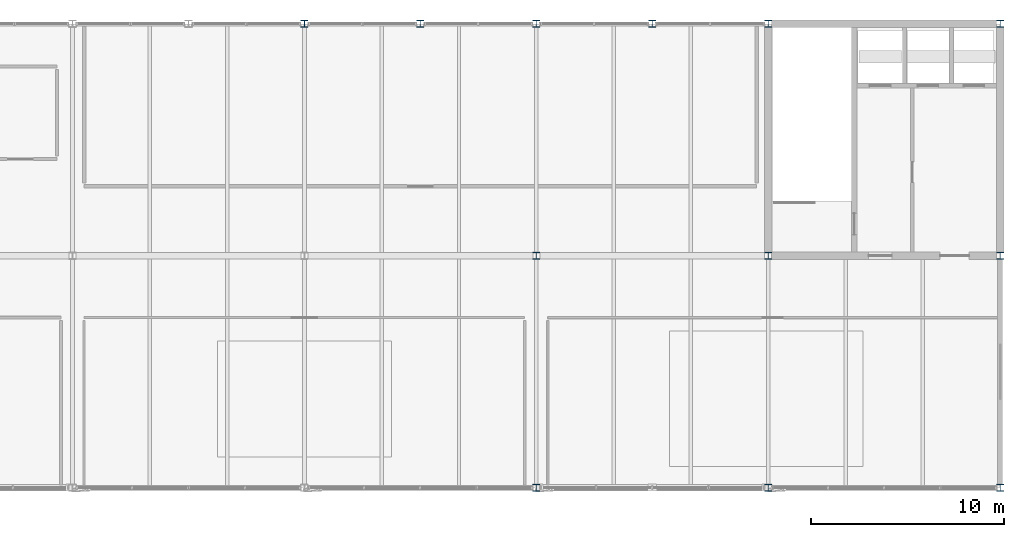
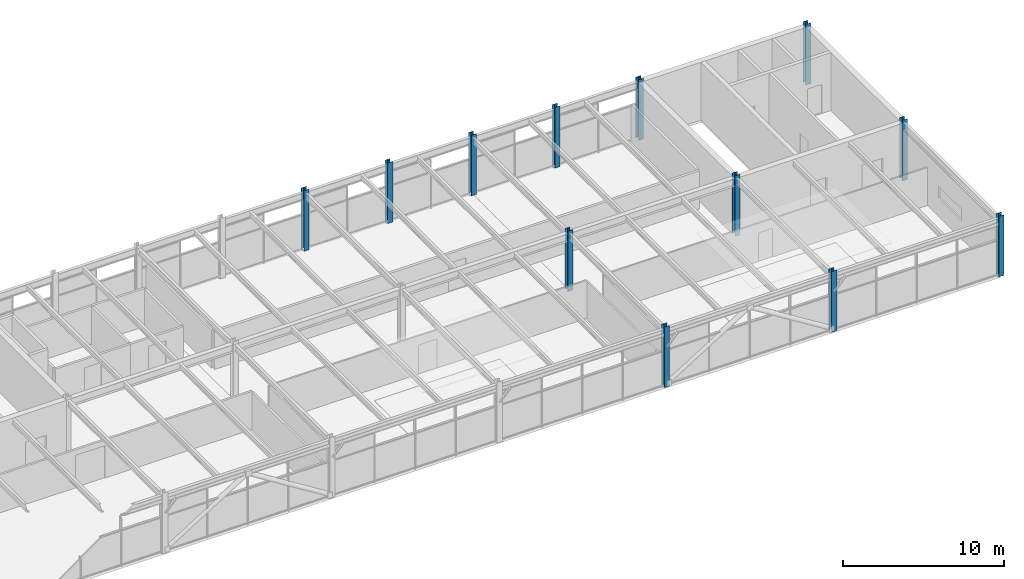
# One storey, part 2 of 28: 12 columns.
"""IFC4 building model written with IfcOpenShell, lengths in metres."""

import ifcopenshell
import ifcopenshell.guid

model = None  # the IFC model being written
_history = None  # IfcOwnerHistory: only IFC2X3 demands one
_inside = {}  # id of a spatial element -> (the spatial element, [elements in it])
_under = {}  # id of a project, library or spatial element -> (it, [spatial elements below it])
_declared = {}  # id of a project -> (the project, [libraries it declares])
_typed = {}  # id of a type object -> (the type object, [elements of that type])
_made_of = {}  # id of a material, layer set ... -> (it, [elements and type objects made of it])


def new_model(schema):
    """Start an empty IFC model of exactly this schema.

    Asked for "IFC4X3", IfcOpenShell would pick the latest addendum, in which some entities
    have other attributes; the version numbers below select the first issue.
    IFC2X3 requires an IfcOwnerHistory on every rooted entity: one is made here for all.
    """
    global model, _history
    if schema == "IFC4X3":
        model = ifcopenshell.file(schema_version=(4, 3, 0, 0))
    else:
        model = ifcopenshell.file(schema=schema)
    _inside.clear()
    _under.clear()
    _declared.clear()
    _typed.clear()
    _made_of.clear()
    _history = None
    if model.schema == "IFC2X3":
        org = make("IfcOrganization", Name="unknown")
        user = make(
            "IfcPersonAndOrganization",
            ThePerson=make("IfcPerson", FamilyName="unknown"),
            TheOrganization=org,
        )
        app = make(
            "IfcApplication",
            ApplicationDeveloper=org,
            Version="unknown",
            ApplicationFullName="unknown",
            ApplicationIdentifier="unknown",
        )
        _history = make(
            "IfcOwnerHistory",
            OwningUser=user,
            OwningApplication=app,
            ChangeAction="ADDED",
            CreationDate=0,
        )
    return model


def make(cls, **values):
    """One entity of the class cls with the attributes given. An attribute that is None is left unset."""
    return model.create_entity(
        cls, **{name: value for name, value in values.items() if value is not None}
    )


def rooted(cls, **values):
    """An entity with a GlobalId (a new one), such as an element, a storey or a relation."""
    return make(cls, GlobalId=ifcopenshell.guid.new(), OwnerHistory=_history, **values)


def si_unit(unit_type, name, prefix=None):
    """IfcSIUnit, for example si_unit("LENGTHUNIT", "METRE", prefix="MILLI")."""
    return make("IfcSIUnit", UnitType=unit_type, Prefix=prefix, Name=name)


def assignment(units):
    """IfcUnitAssignment: the units of a project."""
    return None if units is None else make("IfcUnitAssignment", Units=units)


def point(xyz):
    """IfcCartesianPoint."""
    return None if xyz is None else make("IfcCartesianPoint", Coordinates=xyz)


def direction(xyz):
    """IfcDirection."""
    return None if xyz is None else make("IfcDirection", DirectionRatios=xyz)


def frame(location, z_axis=None, x_axis=None):
    """IfcAxis2Placement3D, a coordinate frame: its origin and axes. An axis left out is left unset."""
    return make(
        "IfcAxis2Placement3D",
        Location=point(location),
        Axis=direction(z_axis),
        RefDirection=direction(x_axis),
    )


def frame_2d(location, x_axis=None):
    """IfcAxis2Placement2D, a coordinate frame in the plane: its origin and x axis."""
    return make(
        "IfcAxis2Placement2D", Location=point(location), RefDirection=direction(x_axis)
    )


def origin():
    """The frame at (0, 0, 0) with its axes left unset."""
    return frame((0.0, 0.0, 0.0))


def origin_2d():
    """The frame at (0, 0) in the plane with its x axis left unset."""
    return frame_2d((0.0, 0.0))


def place(relative_to, where):
    """IfcLocalPlacement: puts the frame where relative to a parent placement (None: the world)."""
    return make(
        "IfcLocalPlacement", PlacementRelTo=relative_to, RelativePlacement=where
    )


def context(
    kind, dimensions, precision=None, world=None, true_north=None, identifier=None
):
    """IfcGeometricRepresentationContext, for example the 3D "Model" context."""
    return make(
        "IfcGeometricRepresentationContext",
        ContextIdentifier=identifier,
        ContextType=kind,
        CoordinateSpaceDimension=dimensions,
        Precision=precision,
        WorldCoordinateSystem=world,
        TrueNorth=true_north,
    )


def subcontext(parent, identifier, kind, view, scale=None):
    """IfcGeometricRepresentationSubContext, for example "Body" below "Model"."""
    return make(
        "IfcGeometricRepresentationSubContext",
        ContextIdentifier=identifier,
        ContextType=kind,
        ParentContext=parent,
        TargetScale=scale,
        TargetView=view,
    )


def project(units=None, contexts=None):
    """IfcProject with its units and contexts."""
    return rooted(
        "IfcProject",
        Name="project",
        RepresentationContexts=contexts,
        UnitsInContext=assignment(units),
    )


def spatial(cls, under=None, at=None, **own):
    """A site, building, storey or space (cls), placed at a placement, below another one or the project."""
    s = rooted(cls, ObjectPlacement=at, **own)
    if under is not None:
        _under.setdefault(under.id(), (under, []))[1].append(s)
    return s


def profile(cls, at=None, kind="AREA", **sizes):
    """A parametric profile (cls). Its sizes go by their IFC names, for example OverallWidth=200.0."""
    return make(cls, ProfileType=kind, Position=at, **sizes)


def i_section(**sizes):
    """IfcIShapeProfileDef."""
    return profile("IfcIShapeProfileDef", **sizes)


def extrude(swept, where, along, depth):
    """IfcExtrudedAreaSolid: the profile swept, set in the frame where, extruded along a direction by depth."""
    return make(
        "IfcExtrudedAreaSolid",
        SweptArea=swept,
        Position=where,
        ExtrudedDirection=direction(along),
        Depth=depth,
    )


def shape(context_of_items, identifier, shape_type, items):
    """IfcShapeRepresentation: the items that make up one representation, for example the "Body"."""
    return make(
        "IfcShapeRepresentation",
        ContextOfItems=context_of_items,
        RepresentationIdentifier=identifier,
        RepresentationType=shape_type,
        Items=items,
    )


def material(Name=None, Category=None):
    """IfcMaterial."""
    return make("IfcMaterial", Name=Name, Category=Category)


def material_profile(
    of_material, cross_section, Name=None, Category=None, Priority=None
):
    """IfcMaterialProfile: a cross section and its material."""
    return make(
        "IfcMaterialProfile",
        Name=Name,
        Material=of_material,
        Profile=cross_section,
        Priority=Priority,
        Category=Category,
    )


def profile_set(profiles, Name=None, composite=None):
    """IfcMaterialProfileSet."""
    return make(
        "IfcMaterialProfileSet",
        Name=Name,
        MaterialProfiles=profiles,
        CompositeProfile=composite,
    )


def made_of(thing, what):
    """Note that an element or type object is made of a material, layer set ...; save() writes the relation."""
    if what is not None:
        _made_of.setdefault(what.id(), (what, []))[1].append(thing)
    return thing


def type_object(cls, material=None, **own):
    """A type object (cls), such as IfcWallType, which elements share."""
    return made_of(rooted(cls, **own), material)


def element(
    cls,
    number,
    at=None,
    inside=None,
    cuts=None,
    type_object=None,
    material=None,
    context=None,
    identifier="Body",
    shape_type=None,
    held_by="IfcProductDefinitionShape",
    body=None,
    shapes=None,
    **own,
):
    """One element of the class cls, such as IfcWall. Its Tag is "e" and its number.

    at: its placement. inside: the storey or other place that contains it. cuts: it is an
    opening in that element (IfcRelVoidsElement). A single representation is given by context,
    identifier, shape_type and body (its items); several are given by shapes. held_by: the class
    of the entity that holds the representations. save() writes the other relations.
    """
    e = rooted(cls, Tag="e%d" % number, ObjectPlacement=at, **own)
    if body is not None:
        shapes = [shape(context, identifier, shape_type, body)]
    if shapes is not None:
        e.Representation = make(held_by, Representations=shapes)
    if inside is not None:
        _inside.setdefault(inside.id(), (inside, []))[1].append(e)
    if cuts is not None:
        rooted(
            "IfcRelVoidsElement", RelatingBuildingElement=cuts, RelatedOpeningElement=e
        )
    if type_object is not None:
        _typed.setdefault(type_object.id(), (type_object, []))[1].append(e)
    return made_of(e, material)


def aggregate(whole, parts):
    """IfcRelAggregates: a whole, such as a stair, and the parts it consists of."""
    return rooted("IfcRelAggregates", RelatingObject=whole, RelatedObjects=parts)


def save(model, path):
    """Write the relations noted so far, then the file.

    IfcRelAggregates (storeys below a building ...), IfcRelContainedInSpatialStructure (elements
    in a storey), IfcRelDefinesByType, IfcRelAssociatesMaterial and IfcRelDeclares: one each for
    every whole, place, type object, material and project.
    """
    for whole, parts in _under.values():
        aggregate(whole, parts)
    for where, things in _inside.values():
        rooted(
            "IfcRelContainedInSpatialStructure",
            RelatedElements=things,
            RelatingStructure=where,
        )
    for kind, things in _typed.values():
        rooted("IfcRelDefinesByType", RelatedObjects=things, RelatingType=kind)
    for what, things in _made_of.values():
        rooted("IfcRelAssociatesMaterial", RelatedObjects=things, RelatingMaterial=what)
    for by, libraries in _declared.values():
        rooted("IfcRelDeclares", RelatingContext=by, RelatedDefinitions=libraries)
    model.write(path)


model = new_model("IFC4")

# Units and contexts
model_context = context("Model", 3, precision=1e-05, world=origin(), true_north=direction((0.0, 1.0)))
body_context = subcontext(model_context, "Body", "Model", "MODEL_VIEW")
ifc_project = project(units=[si_unit("LENGTHUNIT", "METRE"), si_unit("AREAUNIT", "SQUARE_METRE"), si_unit("VOLUMEUNIT", "CUBIC_METRE"), si_unit("PLANEANGLEUNIT", "RADIAN"), si_unit("MASSUNIT", "GRAM", prefix="KILO")], contexts=[model_context])

# Site, building, storey
site_placement = place(None, origin())
site = spatial("IfcSite", under=ifc_project, at=site_placement, CompositionType="ELEMENT")
building_placement = place(site_placement, origin())
building = spatial("IfcBuilding", under=site, at=building_placement, Name="Girod Span Mobility Hub", CompositionType="ELEMENT")
storey_placement = place(building_placement, frame((0.0, 0.0, 69.60009765625)))
storey = spatial("IfcBuildingStorey", under=building, at=storey_placement, Name="L17", CompositionType="ELEMENT", Elevation=69.60009765625)

# Columns
ifc_material = material(Name="Steel A992 Grade 50", Category="steel")
ifc_material_profile = material_profile(ifc_material, i_section(OverallWidth=0.368896484375, OverallDepth=0.35595703125, WebThickness=0.01123046875, FlangeThickness=0.01806640625, FilletRadius=0.01806640625, at=origin_2d()), Name="W14X90")
ifc_profile_set = profile_set([ifc_material_profile], Name="Steel A992 Grade 50")
column_type = type_object("IfcColumnType", Name="COL-STL-W14X90", PredefinedType="COLUMN", material=ifc_profile_set)
for number, where, z_axis, x_axis, name in (
    (1, (84.0, 69.0, 0.0), (0.0, 0.0, 1.0), (1.0, 0.0, 0.0), "Column 8F L17"),
    (2, (96.0, 45.0, 0.0), (0.0, 0.0, 1.0), (1.0, 0.0, 0.0), "Column 9D L17"),
    (3, (96.0, 57.0, 0.0), (0.0, 0.0, 1.0), (1.0, 0.0, 0.0), "Column 9E L17"),
    (4, (96.0, 69.0, 0.0), (0.0, 0.0, 1.0), (1.0, 0.0, 0.0), "Column 9F L17"),
    (5, (108.0, 45.0, 0.0), (0.0, 0.0, 1.0), (1.0, 0.0, 0.0), "Column 10D L17"),
    (6, (108.0, 57.0, 0.0), (0.0, 0.0, 1.0), (1.0, 0.0, 0.0), "Column 10E L17"),
    (7, (108.0, 69.0, 0.0), (0.0, 0.0, 1.0), (1.0, 0.0, 0.0), "Column 10F L17"),
    (8, (120.0, 45.0, 0.0), (0.0, 0.0, 1.0), (1.0, 0.0, 0.0), "Column 11D L17"),
    (9, (120.0, 57.0, 0.0), (0.0, 0.0, 1.0), (1.0, 0.0, 0.0), "Column 11E L17"),
    (10, (120.0, 69.0, 0.0), (0.0, 0.0, 1.0), (1.0, 0.0, 0.0), "Column 11F L17"),
    (11, (90.0, 69.0, 0.0), (0.0, 0.0, 1.0), (1.0, 0.0, 0.0), "Facade Intermediate Column INT-3 L17"),
    (12, (102.0, 69.0, 0.0), (0.0, 0.0, 1.0), (1.0, 0.0, 0.0), "Facade Intermediate Column INT-4 L17"),
):
    element("IfcColumn", number, at=place(storey_placement, frame(where, z_axis=z_axis, x_axis=x_axis)), inside=storey, type_object=column_type, Name=name, PredefinedType="COLUMN", context=body_context, shape_type="SweptSolid", body=[
        extrude(i_section(OverallWidth=0.368896484375, OverallDepth=0.35595703125, WebThickness=0.01123046875, FlangeThickness=0.01806640625, FilletRadius=0.01806640625, at=origin_2d()), origin(), (0.0, 0.0, 1.0), 4.599853515625),
    ])

save(model, "model.ifc")
